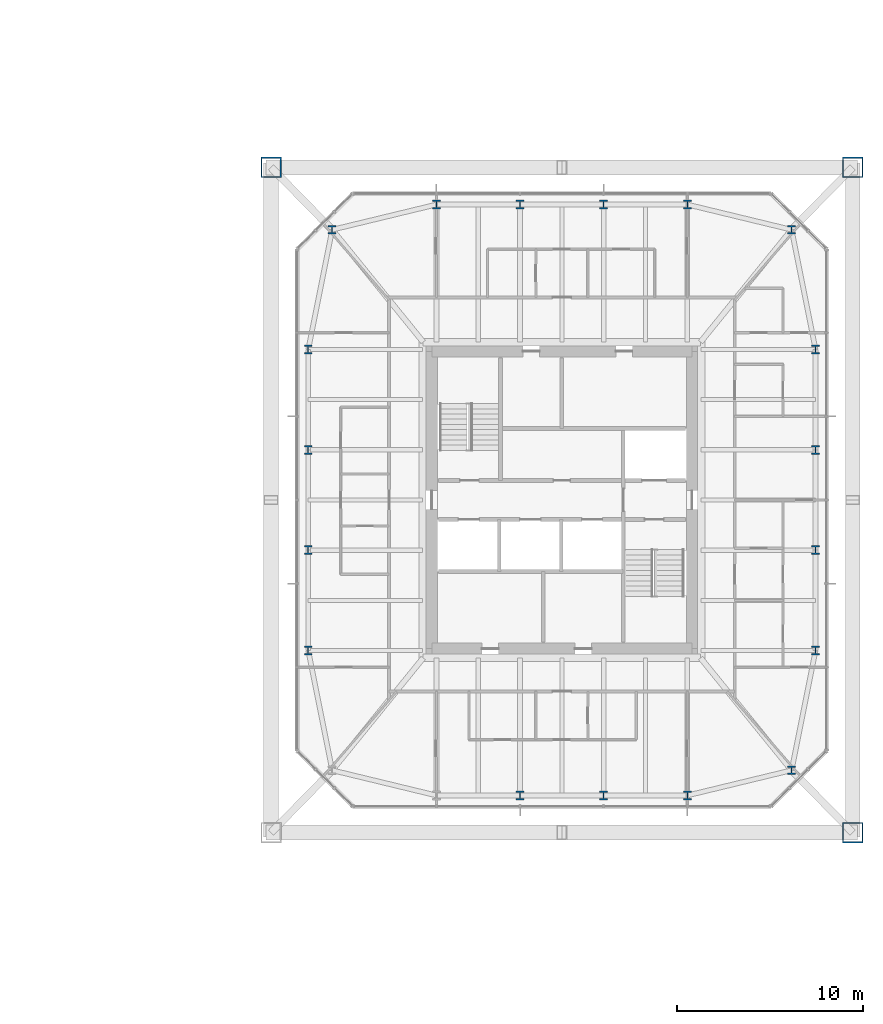
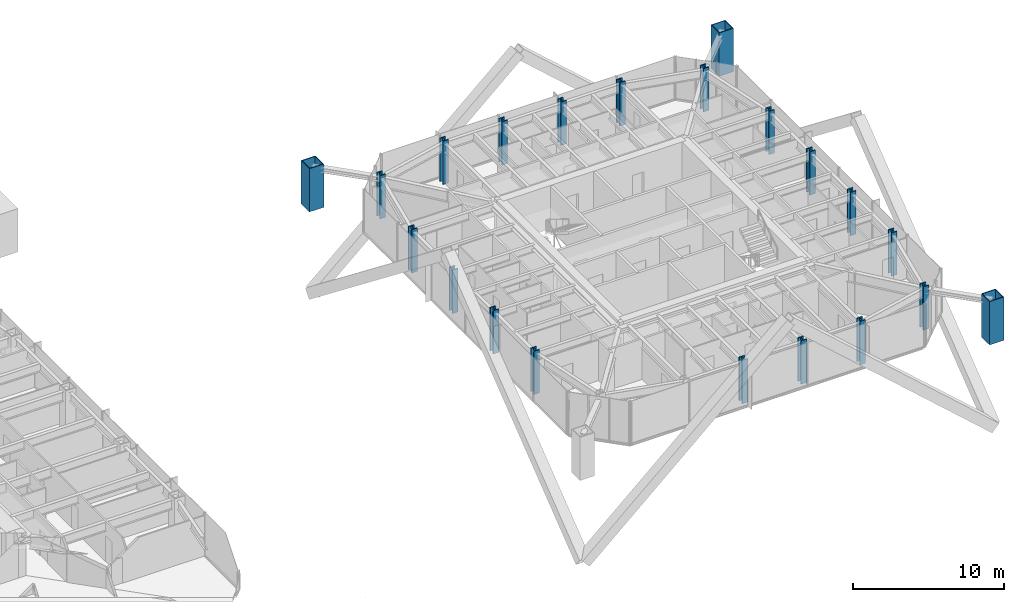
# One storey, part 2 of 25: 21 columns.
"""IFC4 building model written with IfcOpenShell, lengths in metres."""

from ifc_helpers import new_model, si_unit, direction, frame, origin, origin_2d, place, context, subcontext, project, spatial, hollow_rectangle, i_section, extrude, material, material_profile, profile_set, type_object, element, save


model = new_model("IFC4")

# Units and contexts
model_context = context("Model", 3, precision=1e-05, world=origin(), true_north=direction((0.0, 1.0)))
body_context = subcontext(model_context, "Body", "Model", "MODEL_VIEW")
ifc_project = project(units=[si_unit("LENGTHUNIT", "METRE"), si_unit("AREAUNIT", "SQUARE_METRE"), si_unit("VOLUMEUNIT", "CUBIC_METRE"), si_unit("PLANEANGLEUNIT", "RADIAN"), si_unit("MASSUNIT", "GRAM", prefix="KILO")], contexts=[model_context])

# Site, building, storey
site_placement = place(None, origin())
site = spatial("IfcSite", under=ifc_project, at=site_placement, CompositionType="ELEMENT")
building_placement = place(site_placement, origin())
building = spatial("IfcBuilding", under=site, at=building_placement, Name="Iwan Alto Co-Living Towers", CompositionType="ELEMENT")
storey_placement = place(building_placement, frame((0.0, 0.0, 108.5)))
storey = spatial("IfcBuildingStorey", under=building, at=storey_placement, Name="L29", CompositionType="ELEMENT", Elevation=108.5)

# Columns
ifc_material_1 = material(Name="Steel ASTM A572 Gr 50", Category="steel")
ifc_material_profile_1 = material_profile(ifc_material_1, hollow_rectangle(XDim=1.10009765625, YDim=1.10009765625, WallThickness=0.06005859375, at=origin_2d()), Name="BOX 1100X1100X60")
ifc_profile_set_1 = profile_set([ifc_material_profile_1], Name="Steel ASTM A572 Gr 50")
column_type_1 = type_object("IfcColumnType", Name="T2 MEGA COLUMN BOX 1100X1100X60", PredefinedType="COLUMN", material=ifc_profile_set_1)
for number, where, z_axis, x_axis, name in (
    (1, (78.64990234375, -17.89990234375, 0.0), (0.0, 0.0, 1.0), (1.0, 0.0, 0.0), "T2 mega column SE L29"),
    (2, (78.64990234375, 17.89990234375, 0.0), (0.0, 0.0, 1.0), (1.0, 0.0, 0.0), "T2 mega column NE L29"),
    (3, (47.35009765625, 17.89990234375, 0.0), (0.0, 0.0, 1.0), (1.0, 0.0, 0.0), "T2 mega column NW L29"),
):
    element("IfcColumn", number, at=place(storey_placement, frame(where, z_axis=z_axis, x_axis=x_axis)), inside=storey, type_object=column_type_1, Name=name, PredefinedType="COLUMN", context=body_context, shape_type="SweptSolid", body=[
        extrude(hollow_rectangle(XDim=1.10009765625, YDim=1.10009765625, WallThickness=0.06005859375, at=origin_2d()), origin(), (0.0, 0.0, 1.0), 3.5),
    ])
ifc_material_2 = material(Name="Steel ASTM A992 Gr 50", Category="steel")
ifc_material_profile_2 = material_profile(ifc_material_2, i_section(OverallWidth=0.4267578125, OverallDepth=0.482666015625, WebThickness=0.05126953125, FlangeThickness=0.08154296875, at=origin_2d()), Name="W14X455")
ifc_profile_set_2 = profile_set([ifc_material_profile_2], Name="Steel ASTM A992 Gr 50")
column_type_2 = type_object("IfcColumnType", Name="T2 RING COLUMN W14X455", PredefinedType="COLUMN", material=ifc_profile_set_2)
for number, where, z_axis, x_axis, name in (
    (4, (60.75, -15.89990234375, 0.0), (0.0, 0.0, 1.0), (1.0, 0.0, 0.0), "T2 ring column S2 L29"),
    (5, (65.25, -15.89990234375, 0.0), (0.0, 0.0, 1.0), (1.0, 0.0, 0.0), "T2 ring column S3 L29"),
    (6, (69.75, -15.89990234375, 0.0), (0.0, 0.0, 1.0), (1.0, 0.0, 0.0), "T2 ring column S4 L29"),
    (7, (75.361328125, -14.542724609375, 0.0), (0.0, 0.0, 1.0), (1.0, 0.0, 0.0), "T2 ring column CSE L29"),
    (8, (76.64990234375, -8.10009765625, 0.0), (0.0, 0.0, 1.0), (1.0, 0.0, 0.0), "T2 ring column E1 L29"),
    (9, (76.64990234375, -2.699951171875, 0.0), (0.0, 0.0, 1.0), (1.0, 0.0, 0.0), "T2 ring column E2 L29"),
    (10, (76.64990234375, 2.699951171875, 0.0), (0.0, 0.0, 1.0), (1.0, 0.0, 0.0), "T2 ring column E3 L29"),
    (11, (76.64990234375, 8.10009765625, 0.0), (0.0, 0.0, 1.0), (1.0, 0.0, 0.0), "T2 ring column E4 L29"),
    (12, (75.361328125, 14.542724609375, 0.0), (0.0, 0.0, 1.0), (1.0, 0.0, 0.0), "T2 ring column CNE L29"),
    (13, (69.75, 15.89990234375, 0.0), (0.0, 0.0, 1.0), (1.0, 0.0, 0.0), "T2 ring column N1 L29"),
    (14, (65.25, 15.89990234375, 0.0), (0.0, 0.0, 1.0), (1.0, 0.0, 0.0), "T2 ring column N2 L29"),
    (15, (60.75, 15.89990234375, 0.0), (0.0, 0.0, 1.0), (1.0, 0.0, 0.0), "T2 ring column N3 L29"),
    (16, (56.25, 15.89990234375, 0.0), (0.0, 0.0, 1.0), (1.0, 0.0, 0.0), "T2 ring column N4 L29"),
    (17, (50.638671875, 14.542724609375, 0.0), (0.0, 0.0, 1.0), (1.0, 0.0, 0.0), "T2 ring column CNW L29"),
    (18, (49.35009765625, 8.10009765625, 0.0), (0.0, 0.0, 1.0), (1.0, 0.0, 0.0), "T2 ring column W1 L29"),
    (19, (49.35009765625, 2.699951171875, 0.0), (0.0, 0.0, 1.0), (1.0, 0.0, 0.0), "T2 ring column W2 L29"),
    (20, (49.35009765625, -2.699951171875, 0.0), (0.0, 0.0, 1.0), (1.0, 0.0, 0.0), "T2 ring column W3 L29"),
    (21, (49.35009765625, -8.10009765625, 0.0), (0.0, 0.0, 1.0), (1.0, 0.0, 0.0), "T2 ring column W4 L29"),
):
    element("IfcColumn", number, at=place(storey_placement, frame(where, z_axis=z_axis, x_axis=x_axis)), inside=storey, type_object=column_type_2, Name=name, PredefinedType="COLUMN", context=body_context, shape_type="SweptSolid", body=[
        extrude(i_section(OverallWidth=0.4267578125, OverallDepth=0.482666015625, WebThickness=0.05126953125, FlangeThickness=0.08154296875, at=origin_2d()), origin(), (0.0, 0.0, 1.0), 3.5),
    ])

save(model, "model.ifc")
